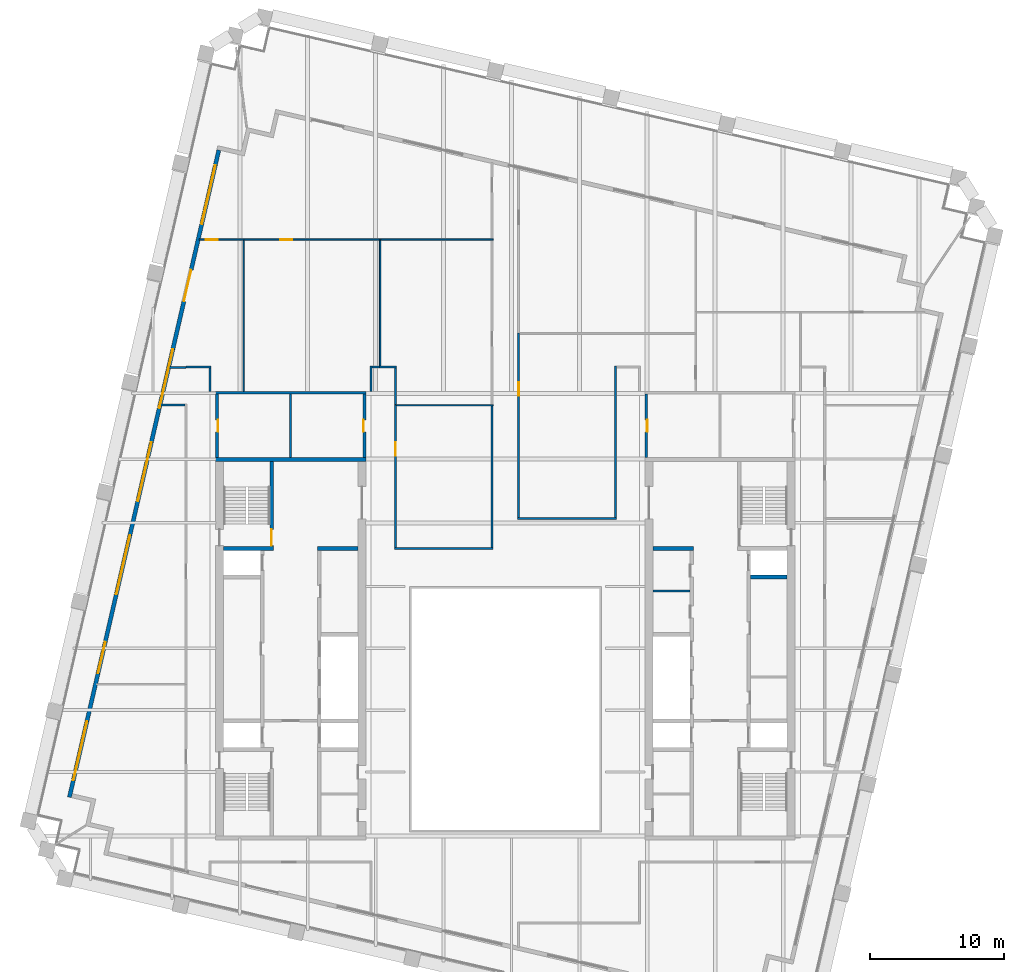
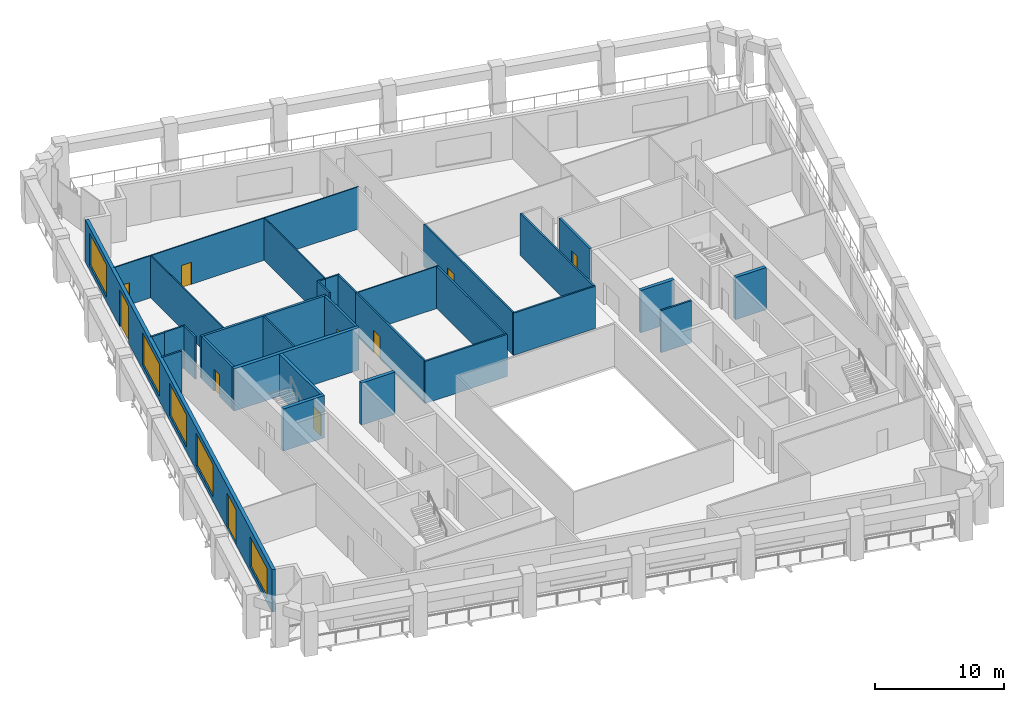
# One storey, part 6 of 10: 33 walls, 10 doors, 5 windows, 15 openings.
"""IFC4 building model written with IfcOpenShell, lengths in metres."""

from ifc_helpers import new_model, si_unit, direction, frame, frame_2d, origin, place, context, subcontext, project, spatial, rectangle, extrude, material, layer, layer_set, type_object, element, fill, save


model = new_model("IFC4")

# Units and contexts
model_context = context("Model", 3, precision=1e-05, world=origin(), true_north=direction((0.0, 1.0)))
body_context = subcontext(model_context, "Body", "Model", "MODEL_VIEW")
ifc_project = project(units=[si_unit("LENGTHUNIT", "METRE"), si_unit("AREAUNIT", "SQUARE_METRE"), si_unit("VOLUMEUNIT", "CUBIC_METRE"), si_unit("PLANEANGLEUNIT", "RADIAN"), si_unit("MASSUNIT", "GRAM", prefix="KILO")], contexts=[model_context])

# Site, building, storey
site_placement = place(None, origin())
site = spatial("IfcSite", under=ifc_project, at=site_placement, CompositionType="ELEMENT")
building_placement = place(site_placement, origin())
building = spatial("IfcBuilding", under=site, at=building_placement, Name="Ogive Exchange Tower", CompositionType="ELEMENT")
storey_placement = place(building_placement, frame((0.0, 0.0, 280.800048828125)))
storey = spatial("IfcBuildingStorey", under=building, at=storey_placement, Name="L61", CompositionType="ELEMENT", Elevation=280.800048828125)

# Walls
ifc_material_1 = material(Name="Gypsum board partition")
ifc_layer_1 = layer(ifc_material_1, 0.14990234375)
ifc_layer_set_1 = layer_set([ifc_layer_1], Name="Core room partition 150 gypsum")
wall_type_1 = type_object("IfcWallType", Name="Core room partition 150 gypsum", PredefinedType="PARTITIONING", material=ifc_layer_set_1)
wall_1_placement = place(storey_placement, frame((-16.0, 25.75, 0.0), z_axis=(0.0, 0.0, 1.0), x_axis=(0.0, 1.0, 0.0)))
element("IfcWall", 1, at=wall_1_placement, inside=storey, type_object=wall_type_1, Name="W annex N column wall", PredefinedType="PARTITIONING", context=body_context, shape_type="SweptSolid", body=[
    extrude(rectangle(XDim=4.75, YDim=0.14990234375, at=frame_2d((2.375, 0.0))), origin(), (0.0, 0.0, 1.0), 4.0),
])
wall_2_placement = place(storey_placement, frame((11.0, 15.800048828125, 0.0), z_axis=(0.0, 0.0, 1.0), x_axis=(1.0, 0.0, 0.0)))
element("IfcWall", 2, at=wall_2_placement, inside=storey, type_object=wall_type_1, Name="E row B bay partition 4-1", PredefinedType="PARTITIONING", context=body_context, shape_type="SweptSolid", body=[
    extrude(rectangle(XDim=2.75, YDim=0.14990234375, at=frame_2d((1.375, 0.0))), origin(), (0.0, 0.0, 1.0), 4.0),
])
ifc_layer_2 = layer(ifc_material_1, 0.300048828125)
ifc_layer_set_2 = layer_set([ifc_layer_2], Name="Core room partition 300 gypsum")
wall_type_2 = type_object("IfcWallType", Name="Core room partition 300 gypsum", PredefinedType="PARTITIONING", material=ifc_layer_set_2)
for number, where, z_axis, x_axis, name in (
    (3, (-14.0, 19.0, 0.0), (0.0, 0.0, 1.0), (1.0, 0.0, 0.0), "W row B room end wall 7"),
    (4, (11.0, 19.0, 0.0), (0.0, 0.0, 1.0), (1.0, 0.0, 0.0), "E row B room end wall 7"),
):
    element("IfcWall", number, at=place(storey_placement, frame(where, z_axis=z_axis, x_axis=x_axis)), inside=storey, type_object=wall_type_2, Name=name, PredefinedType="PARTITIONING", context=body_context, shape_type="SweptSolid", body=[
        extrude(rectangle(XDim=3.0, YDim=0.300048828125, at=frame_2d((1.5, 0.0))), origin(), (0.0, 0.0, 1.0), 4.0),
    ])
ifc_material_2 = material(Name="Fire partition EI 60 150")
ifc_layer_3 = layer(ifc_material_2, 0.14990234375)
ifc_layer_set_3 = layer_set([ifc_layer_3], Name="Fire partition EI 60 150")
wall_type_3 = type_object("IfcWallType", Name="Fire partition EI 60 150", PredefinedType="PARTITIONING", material=ifc_layer_set_3)
wall_3_placement = place(storey_placement, frame((-25.02490234375, 32.489990234375, 0.0), z_axis=(0.0, 0.0, 1.0), x_axis=(1.0, 0.0, 0.0)))
element("IfcWall", 5, at=wall_3_placement, inside=storey, type_object=wall_type_3, Name="L61-PWL-001", PredefinedType="PARTITIONING", context=body_context, shape_type="SweptSolid", body=[
    extrude(rectangle(XDim=1.224853515625, YDim=0.14990234375, at=frame_2d((0.6123046875, 0.0))), origin(), (0.0, 0.0, 1.0), 4.0),
])
wall_4_placement = place(storey_placement, frame((-23.875, 29.659912109375, 0.0), z_axis=(0.0, 0.0, 1.0), x_axis=(-1.0, 0.0, 0.0)))
element("IfcWall", 6, at=wall_4_placement, inside=storey, type_object=wall_type_3, Name="L61-PWL-005", PredefinedType="PARTITIONING", context=body_context, shape_type="SweptSolid", body=[
    extrude(rectangle(XDim=1.802978515625, YDim=0.14990234375, at=frame_2d((0.9013671875, 0.0))), origin(), (0.0, 0.0, 1.0), 4.0),
])
wall_5_placement = place(storey_placement, frame((-23.800048828125, 32.5, 0.0), z_axis=(0.0, 0.0, 1.0), x_axis=(1.0, 0.0, 0.0)))
element("IfcWall", 7, at=wall_5_placement, inside=storey, type_object=wall_type_3, Name="L61-PWL-006", PredefinedType="PARTITIONING", context=body_context, shape_type="SweptSolid", body=[
    extrude(rectangle(XDim=1.875, YDim=0.14990234375, at=frame_2d((0.9375, 0.0))), origin(), (0.0, 0.0, 1.0), 4.0),
])
wall_6_placement = place(storey_placement, frame((-22.0, 32.425048828125, 0.0), z_axis=(0.0, 0.0, 1.0), x_axis=(0.0, -1.0, 0.0)))
element("IfcWall", 8, at=wall_6_placement, inside=storey, type_object=wall_type_3, Name="L61-PWL-010", PredefinedType="PARTITIONING", context=body_context, shape_type="SweptSolid", body=[
    extrude(rectangle(XDim=1.72509765625, YDim=0.14990234375, at=frame_2d((0.862548828125, 0.0))), origin(), (0.0, 0.0, 1.0), 4.0),
])
wall_7_placement = place(storey_placement, frame((-10.0, 30.699951171875, 0.0), z_axis=(0.0, 0.0, 1.0), x_axis=(0.0, 1.0, 0.0)))
element("IfcWall", 9, at=wall_7_placement, inside=storey, type_object=wall_type_3, Name="L61-PWL-015", PredefinedType="PARTITIONING", context=body_context, shape_type="SweptSolid", body=[
    extrude(rectangle(XDim=1.875, YDim=0.14990234375, at=frame_2d((0.9375, 0.0))), origin(), (0.0, 0.0, 1.0), 4.0),
])
wall_8_placement = place(storey_placement, frame((-9.925048828125, 32.5, 0.0), z_axis=(0.0, 0.0, 1.0), x_axis=(1.0, 0.0, 0.0)))
element("IfcWall", 10, at=wall_8_placement, inside=storey, type_object=wall_type_3, Name="L61-PWL-016", PredefinedType="PARTITIONING", context=body_context, shape_type="SweptSolid", body=[
    extrude(rectangle(XDim=0.53515625, YDim=0.14990234375, at=frame_2d((0.267578125, 0.0))), origin(), (0.0, 0.0, 1.0), 4.0),
])
wall_9_placement = place(storey_placement, frame((-9.389892578125, 32.5, 0.0), z_axis=(0.0, 0.0, 1.0), x_axis=(1.0, 0.0, 0.0)))
element("IfcWall", 11, at=wall_9_placement, inside=storey, type_object=wall_type_3, Name="L61-PWL-017", PredefinedType="PARTITIONING", context=body_context, shape_type="SweptSolid", body=[
    extrude(rectangle(XDim=1.264892578125, YDim=0.14990234375, at=frame_2d((0.63232421875, 0.0))), origin(), (0.0, 0.0, 1.0), 4.0),
])
wall_10_placement = place(storey_placement, frame((-8.27490234375, 19.0, 0.0), z_axis=(0.0, 0.0, 1.0), x_axis=(1.0, 0.0, 0.0)))
element("IfcWall", 12, at=wall_10_placement, inside=storey, type_object=wall_type_3, Name="L61-PWL-020", PredefinedType="PARTITIONING", context=body_context, shape_type="SweptSolid", body=[
    extrude(rectangle(XDim=7.35986328125, YDim=0.14990234375, at=frame_2d((3.679931640625, 0.0))), origin(), (0.0, 0.0, 1.0), 4.0),
])

# Wall, opening, door
wall_11_placement = place(storey_placement, frame((-8.199951171875, 29.7099609375, 0.0), z_axis=(0.0, 0.0, 1.0), x_axis=(0.0, -1.0, 0.0)))
wall_11 = element("IfcWall", 13, at=wall_11_placement, inside=storey, type_object=wall_type_3, Name="L61-PWL-021", PredefinedType="PARTITIONING", context=body_context, shape_type="SweptSolid", body=[
    extrude(rectangle(XDim=10.635009765625, YDim=0.14990234375, at=frame_2d((5.3173828125, 0.0))), origin(), (0.0, 0.0, 1.0), 4.0),
])
opening_1_placement = place(wall_11_placement, frame((2.81005859375, 0.0, 0.0)))
opening_1 = element("IfcOpeningElement", 14, at=opening_1_placement, cuts=wall_11, Name="Opening L61-I09", PredefinedType="OPENING", context=body_context, shape_type="SweptSolid", body=[
    extrude(rectangle(XDim=1.0, YDim=2.10009765625, at=frame_2d((0.5, 1.050048828125))), frame((0.0, 0.0849609375, 0.0), z_axis=(0.0, -1.0, 0.0), x_axis=(1.0, 0.0, 0.0)), (0.0, 0.0, 1.0), 0.169921875),
])
ifc_material_3 = material(Name="Fire door FD 30S 1000 x 2100")
door_type_1 = type_object("IfcDoorType", Name="Fire door FD 30S 1000 x 2100", OperationType="NOTDEFINED", PredefinedType="DOOR", material=ifc_material_3)
door_1_placement = place(opening_1_placement, origin())
door_1 = element("IfcDoor", 15, at=door_1_placement, inside=storey, type_object=door_type_1, Name="L61-IDR-009", ObjectType="DT3", OperationType="SINGLE_SWING_RIGHT", OverallHeight=2.10009765625, OverallWidth=1.0, PredefinedType="DOOR", context=body_context, shape_type="SweptSolid", body=[
    extrude(rectangle(XDim=1.0, YDim=2.10009765625, at=frame_2d((0.5, 1.050048828125))), frame((0.0, 0.02490234375, 0.0), z_axis=(0.0, -1.0, 0.0), x_axis=(1.0, 0.0, 0.0)), (0.0, 0.0, 1.0), 0.050048828125),
])
fill(opening_1, door_1)

# Walls
wall_12_placement = place(storey_placement, frame((-8.199951171875, 32.425048828125, 0.0), z_axis=(0.0, 0.0, 1.0), x_axis=(0.0, -1.0, 0.0)))
element("IfcWall", 16, at=wall_12_placement, inside=storey, type_object=wall_type_3, Name="L61-PWL-023", PredefinedType="PARTITIONING", context=body_context, shape_type="SweptSolid", body=[
    extrude(rectangle(XDim=2.715087890625, YDim=0.14990234375, at=frame_2d((1.357421875, 0.0))), origin(), (0.0, 0.0, 1.0), 4.0),
])
wall_13_placement = place(storey_placement, frame((-0.989990234375, 19.074951171875, 0.0), z_axis=(0.0, 0.0, 1.0), x_axis=(0.0, 1.0, 0.0)))
element("IfcWall", 17, at=wall_13_placement, inside=storey, type_object=wall_type_3, Name="L61-PWL-024", PredefinedType="PARTITIONING", context=body_context, shape_type="SweptSolid", body=[
    extrude(rectangle(XDim=10.53515625, YDim=0.14990234375, at=frame_2d((5.267578125, 0.0))), origin(), (0.0, 0.0, 1.0), 4.0),
])
wall_14_placement = place(storey_placement, frame((0.9150390625, 21.2099609375, 0.0), z_axis=(0.0, 0.0, 1.0), x_axis=(1.0, 0.0, 0.0)))
element("IfcWall", 18, at=wall_14_placement, inside=storey, type_object=wall_type_3, Name="L61-PWL-028", PredefinedType="PARTITIONING", context=body_context, shape_type="SweptSolid", body=[
    extrude(rectangle(XDim=7.35986328125, YDim=0.14990234375, at=frame_2d((3.679931640625, 0.0))), origin(), (0.0, 0.0, 1.0), 4.0),
])

# Wall, opening, door
wall_15_placement = place(storey_placement, frame((0.989990234375, 35.050048828125, 0.0), z_axis=(0.0, 0.0, 1.0), x_axis=(0.0, -1.0, 0.0)))
wall_15 = element("IfcWall", 19, at=wall_15_placement, inside=storey, type_object=wall_type_3, Name="L61-PWL-029", PredefinedType="PARTITIONING", context=body_context, shape_type="SweptSolid", body=[
    extrude(rectangle(XDim=13.76513671875, YDim=0.14990234375, at=frame_2d((6.882568359375, 0.0))), origin(), (0.0, 0.0, 1.0), 4.0),
])
opening_2_placement = place(wall_15_placement, frame((3.68994140625, 0.0, 0.0)))
opening_2 = element("IfcOpeningElement", 20, at=opening_2_placement, cuts=wall_15, Name="Opening L61-I04", PredefinedType="OPENING", context=body_context, shape_type="SweptSolid", body=[
    extrude(rectangle(XDim=1.0, YDim=2.10009765625, at=frame_2d((0.5, 1.050048828125))), frame((0.0, 0.0849609375, 0.0), z_axis=(0.0, -1.0, 0.0), x_axis=(1.0, 0.0, 0.0)), (0.0, 0.0, 1.0), 0.169921875),
])
door_2_placement = place(opening_2_placement, origin())
door_2 = element("IfcDoor", 21, at=door_2_placement, inside=storey, type_object=door_type_1, Name="L61-IDR-004", ObjectType="DT3", OperationType="SINGLE_SWING_RIGHT", OverallHeight=2.10009765625, OverallWidth=1.0, PredefinedType="DOOR", context=body_context, shape_type="SweptSolid", body=[
    extrude(rectangle(XDim=1.0, YDim=2.10009765625, at=frame_2d((0.5, 1.050048828125))), frame((0.0, 0.02490234375, 0.0), z_axis=(0.0, -1.0, 0.0), x_axis=(1.0, 0.0, 0.0)), (0.0, 0.0, 1.0), 0.050048828125),
])
fill(opening_2, door_2)

# Wall
wall_16_placement = place(storey_placement, frame((8.199951171875, 21.284912109375, 0.0), z_axis=(0.0, 0.0, 1.0), x_axis=(0.0, 1.0, 0.0)))
element("IfcWall", 22, at=wall_16_placement, inside=storey, type_object=wall_type_3, Name="L61-PWL-031", PredefinedType="PARTITIONING", context=body_context, shape_type="SweptSolid", body=[
    extrude(rectangle(XDim=11.2900390625, YDim=0.14990234375, at=frame_2d((5.64501953125, 0.0))), origin(), (0.0, 0.0, 1.0), 4.0),
])

# Wall, openings, doors, windows
ifc_material_4 = material(Name="Precast concrete C40/50", Category="concrete")
ifc_layer_4 = layer(ifc_material_4, 0.300048828125)
ifc_layer_set_4 = layer_set([ifc_layer_4], Name="Limestone-faced wall 300")
wall_type_4 = type_object("IfcWallType", Name="Limestone-faced wall 300", PredefinedType="STANDARD", material=ifc_layer_set_4)
wall_17_placement = place(storey_placement, frame((-21.35888671875, 48.67822265625, 0.0), z_axis=(0.0, 0.0, 1.0), x_axis=(-0.224949198343, -0.974370493275, 0.0)))
wall_17 = element("IfcWall", 23, at=wall_17_placement, inside=storey, type_object=wall_type_4, Name="External wall W4", PredefinedType="STANDARD", context=body_context, shape_type="SweptSolid", body=[
    extrude(rectangle(XDim=49.5, YDim=0.300048828125, at=frame_2d((24.75, 0.0))), origin(), (0.0, 0.0, 1.0), 4.0),
])
opening_3_placement = place(wall_17_placement, frame((1.156982421875, 0.0, 0.449951171875)))
opening_3 = element("IfcOpeningElement", 24, at=opening_3_placement, cuts=wall_17, Name="Opening W1", PredefinedType="OPENING", context=body_context, shape_type="SweptSolid", body=[
    extrude(rectangle(XDim=4.5, YDim=3.050048828125, at=frame_2d((2.25, 1.52490234375))), frame((0.0, 0.159912109375, 0.0), z_axis=(0.0, -1.0, 0.0), x_axis=(1.0, 0.0, 0.0)), (0.0, 0.0, 1.0), 0.320068359375),
])
opening_4_placement = place(wall_17_placement, frame((9.17138671875, 0.0, 0.0)))
opening_4 = element("IfcOpeningElement", 25, at=opening_4_placement, cuts=wall_17, Name="Opening D1", PredefinedType="OPENING", context=body_context, shape_type="SweptSolid", body=[
    extrude(rectangle(XDim=2.39990234375, YDim=3.5, at=frame_2d((1.199951171875, 1.75))), frame((0.0, 0.159912109375, 0.0), z_axis=(0.0, -1.0, 0.0), x_axis=(1.0, 0.0, 0.0)), (0.0, 0.0, 1.0), 0.320068359375),
])
opening_5_placement = place(wall_17_placement, frame((15.235595703125, 0.0, 0.449951171875)))
opening_5 = element("IfcOpeningElement", 26, at=opening_5_placement, cuts=wall_17, Name="Opening W1", PredefinedType="OPENING", context=body_context, shape_type="SweptSolid", body=[
    extrude(rectangle(XDim=4.5, YDim=3.050048828125, at=frame_2d((2.25, 1.52490234375))), frame((0.0, 0.159912109375, 0.0), z_axis=(0.0, -1.0, 0.0), x_axis=(1.0, 0.0, 0.0)), (0.0, 0.0, 1.0), 0.320068359375),
])
opening_6_placement = place(wall_17_placement, frame((22.35009765625, 0.0, 0.449951171875)))
opening_6 = element("IfcOpeningElement", 27, at=opening_6_placement, cuts=wall_17, Name="Opening W1", PredefinedType="OPENING", context=body_context, shape_type="SweptSolid", body=[
    extrude(rectangle(XDim=4.5, YDim=3.050048828125, at=frame_2d((2.25, 1.52490234375))), frame((0.0, 0.159912109375, 0.0), z_axis=(0.0, -1.0, 0.0), x_axis=(1.0, 0.0, 0.0)), (0.0, 0.0, 1.0), 0.320068359375),
])
opening_7_placement = place(wall_17_placement, frame((29.464111328125, 0.0, 0.449951171875)))
opening_7 = element("IfcOpeningElement", 28, at=opening_7_placement, cuts=wall_17, Name="Opening W1", PredefinedType="OPENING", context=body_context, shape_type="SweptSolid", body=[
    extrude(rectangle(XDim=4.5, YDim=3.050048828125, at=frame_2d((2.25, 1.52490234375))), frame((0.0, 0.159912109375, 0.0), z_axis=(0.0, -1.0, 0.0), x_axis=(1.0, 0.0, 0.0)), (0.0, 0.0, 1.0), 0.320068359375),
])
opening_8_placement = place(wall_17_placement, frame((37.62841796875, 0.0, 0.0)))
opening_8 = element("IfcOpeningElement", 29, at=opening_8_placement, cuts=wall_17, Name="Opening D1C", PredefinedType="OPENING", context=body_context, shape_type="SweptSolid", body=[
    extrude(rectangle(XDim=2.39990234375, YDim=3.324951171875, at=frame_2d((1.199951171875, 1.66259765625))), frame((0.0, 0.159912109375, 0.0), z_axis=(0.0, -1.0, 0.0), x_axis=(1.0, 0.0, 0.0)), (0.0, 0.0, 1.0), 0.320068359375),
])
opening_9_placement = place(wall_17_placement, frame((43.69287109375, 0.0, 0.449951171875)))
opening_9 = element("IfcOpeningElement", 30, at=opening_9_placement, cuts=wall_17, Name="Opening W1E", PredefinedType="OPENING", context=body_context, shape_type="SweptSolid", body=[
    extrude(rectangle(XDim=4.5, YDim=2.824951171875, at=frame_2d((2.25, 1.41259765625))), frame((0.0, 0.159912109375, 0.0), z_axis=(0.0, -1.0, 0.0), x_axis=(1.0, 0.0, 0.0)), (0.0, 0.0, 1.0), 0.320068359375),
])
ifc_material_5 = material(Name="Clear glass in bronze frame", Category="glass")
door_type_2 = type_object("IfcDoorType", Name="Sliding loggia door 2400 x 3325", OperationType="DOUBLE_DOOR_SLIDING", PredefinedType="DOOR", material=ifc_material_5)
door_3_placement = place(opening_8_placement, origin())
door_3 = element("IfcDoor", 31, at=door_3_placement, inside=storey, type_object=door_type_2, Name="Loggia door W05", OperationType="DOUBLE_DOOR_SLIDING", OverallHeight=3.324951171875, OverallWidth=2.39990234375, PredefinedType="DOOR", context=body_context, shape_type="SweptSolid", body=[
    extrude(rectangle(XDim=2.39990234375, YDim=3.324951171875, at=frame_2d((1.199951171875, 1.66259765625))), frame((0.0, 0.02490234375, 0.0), z_axis=(0.0, -1.0, 0.0), x_axis=(1.0, 0.0, 0.0)), (0.0, 0.0, 1.0), 0.050048828125),
])
fill(opening_8, door_3)
door_type_3 = type_object("IfcDoorType", Name="Sliding loggia door 2400 x 3500", OperationType="DOUBLE_DOOR_SLIDING", PredefinedType="DOOR", material=ifc_material_5)
door_4_placement = place(opening_4_placement, origin())
door_4 = element("IfcDoor", 32, at=door_4_placement, inside=storey, type_object=door_type_3, Name="Loggia door W01", OperationType="DOUBLE_DOOR_SLIDING", OverallHeight=3.5, OverallWidth=2.39990234375, PredefinedType="DOOR", context=body_context, shape_type="SweptSolid", body=[
    extrude(rectangle(XDim=2.39990234375, YDim=3.5, at=frame_2d((1.199951171875, 1.75))), frame((0.0, 0.02490234375, 0.0), z_axis=(0.0, -1.0, 0.0), x_axis=(1.0, 0.0, 0.0)), (0.0, 0.0, 1.0), 0.050048828125),
])
fill(opening_4, door_4)
window_type_1 = type_object("IfcWindowType", Name="Twin lancet window 4500 x 2825", PartitioningType="DOUBLE_PANEL_VERTICAL", PredefinedType="WINDOW", material=ifc_material_5)
window_1_placement = place(opening_9_placement, origin())
window_1 = element("IfcWindow", 33, at=window_1_placement, inside=storey, type_object=window_type_1, Name="Window W06", OverallHeight=2.824951171875, OverallWidth=4.5, PartitioningType="DOUBLE_PANEL_VERTICAL", PredefinedType="WINDOW", context=body_context, shape_type="SweptSolid", body=[
    extrude(rectangle(XDim=4.5, YDim=2.824951171875, at=frame_2d((2.25, 1.41259765625))), frame((0.0, 0.030029296875, 0.0), z_axis=(0.0, -1.0, 0.0), x_axis=(1.0, 0.0, 0.0)), (0.0, 0.0, 1.0), 0.06005859375),
])
fill(opening_9, window_1)
window_type_2 = type_object("IfcWindowType", Name="Twin lancet window 4500 x 3050", PartitioningType="DOUBLE_PANEL_VERTICAL", PredefinedType="WINDOW", material=ifc_material_5)
window_2_placement = place(opening_3_placement, origin())
window_2 = element("IfcWindow", 34, at=window_2_placement, inside=storey, type_object=window_type_2, Name="Window W00", OverallHeight=3.050048828125, OverallWidth=4.5, PartitioningType="DOUBLE_PANEL_VERTICAL", PredefinedType="WINDOW", context=body_context, shape_type="SweptSolid", body=[
    extrude(rectangle(XDim=4.5, YDim=3.050048828125, at=frame_2d((2.25, 1.52490234375))), frame((0.0, 0.030029296875, 0.0), z_axis=(0.0, -1.0, 0.0), x_axis=(1.0, 0.0, 0.0)), (0.0, 0.0, 1.0), 0.06005859375),
])
fill(opening_3, window_2)
window_3_placement = place(opening_5_placement, origin())
window_3 = element("IfcWindow", 35, at=window_3_placement, inside=storey, type_object=window_type_2, Name="Window W02", OverallHeight=3.050048828125, OverallWidth=4.5, PartitioningType="DOUBLE_PANEL_VERTICAL", PredefinedType="WINDOW", context=body_context, shape_type="SweptSolid", body=[
    extrude(rectangle(XDim=4.5, YDim=3.050048828125, at=frame_2d((2.25, 1.52490234375))), frame((0.0, 0.030029296875, 0.0), z_axis=(0.0, -1.0, 0.0), x_axis=(1.0, 0.0, 0.0)), (0.0, 0.0, 1.0), 0.06005859375),
])
fill(opening_5, window_3)
window_4_placement = place(opening_6_placement, origin())
window_4 = element("IfcWindow", 36, at=window_4_placement, inside=storey, type_object=window_type_2, Name="Window W03", OverallHeight=3.050048828125, OverallWidth=4.5, PartitioningType="DOUBLE_PANEL_VERTICAL", PredefinedType="WINDOW", context=body_context, shape_type="SweptSolid", body=[
    extrude(rectangle(XDim=4.5, YDim=3.050048828125, at=frame_2d((2.25, 1.52490234375))), frame((0.0, 0.030029296875, 0.0), z_axis=(0.0, -1.0, 0.0), x_axis=(1.0, 0.0, 0.0)), (0.0, 0.0, 1.0), 0.06005859375),
])
fill(opening_6, window_4)
window_5_placement = place(opening_7_placement, origin())
window_5 = element("IfcWindow", 37, at=window_5_placement, inside=storey, type_object=window_type_2, Name="Window W04", OverallHeight=3.050048828125, OverallWidth=4.5, PartitioningType="DOUBLE_PANEL_VERTICAL", PredefinedType="WINDOW", context=body_context, shape_type="SweptSolid", body=[
    extrude(rectangle(XDim=4.5, YDim=3.050048828125, at=frame_2d((2.25, 1.52490234375))), frame((0.0, 0.030029296875, 0.0), z_axis=(0.0, -1.0, 0.0), x_axis=(1.0, 0.0, 0.0)), (0.0, 0.0, 1.0), 0.06005859375),
])
fill(opening_7, window_5)

# Wall, opening, door
ifc_material_6 = material(Name="Partition 100 gypsum")
ifc_layer_5 = layer(ifc_material_6, 0.10009765625)
ifc_layer_set_5 = layer_set([ifc_layer_5], Name="Partition 100 gypsum")
wall_type_5 = type_object("IfcWallType", Name="Partition 100 gypsum", PredefinedType="PARTITIONING", material=ifc_layer_set_5)
wall_18_placement = place(storey_placement, frame((-22.8291015625, 42.0, 0.0), z_axis=(0.0, 0.0, 1.0), x_axis=(1.0, 0.0, 0.0)))
wall_18 = element("IfcWall", 38, at=wall_18_placement, inside=storey, type_object=wall_type_5, Name="L61-PWL-008", PredefinedType="PARTITIONING", context=body_context, shape_type="SweptSolid", body=[
    extrude(rectangle(XDim=3.3291015625, YDim=0.10009765625, at=frame_2d((1.66455078125, 0.0))), origin(), (0.0, 0.0, 1.0), 4.0),
])
opening_10_placement = place(wall_18_placement, frame((0.47900390625, 0.0, 0.0)))
opening_10 = element("IfcOpeningElement", 39, at=opening_10_placement, cuts=wall_18, Name="Opening L61-I10", PredefinedType="OPENING", context=body_context, shape_type="SweptSolid", body=[
    extrude(rectangle(XDim=0.89990234375, YDim=2.10009765625, at=frame_2d((0.449951171875, 1.050048828125))), frame((0.0, 0.06005859375, 0.0), z_axis=(0.0, -1.0, 0.0), x_axis=(1.0, 0.0, 0.0)), (0.0, 0.0, 1.0), 0.1201171875),
])
ifc_material_7 = material(Name="Door 900 x 2100")
door_type_4 = type_object("IfcDoorType", Name="Door 900 x 2100", OperationType="NOTDEFINED", PredefinedType="DOOR", material=ifc_material_7)
door_5_placement = place(opening_10_placement, frame((0.89990234375, 0.0, 0.0), z_axis=(0.0, 0.0, 1.0), x_axis=(-1.0, 0.0, 0.0)))
door_5 = element("IfcDoor", 40, at=door_5_placement, inside=storey, type_object=door_type_4, Name="L61-IDR-010", ObjectType="DT1", OperationType="SINGLE_SWING_LEFT", OverallHeight=2.10009765625, OverallWidth=0.89990234375, PredefinedType="DOOR", context=body_context, shape_type="SweptSolid", body=[
    extrude(rectangle(XDim=0.89990234375, YDim=2.10009765625, at=frame_2d((0.449951171875, 1.050048828125))), frame((0.0, 0.02490234375, 0.0), z_axis=(0.0, -1.0, 0.0), x_axis=(1.0, 0.0, 0.0)), (0.0, 0.0, 1.0), 0.050048828125),
])
fill(opening_10, door_5)

# Wall
wall_19_placement = place(storey_placement, frame((-19.5, 41.949951171875, 0.0), z_axis=(0.0, 0.0, 1.0), x_axis=(0.0, -1.0, 0.0)))
element("IfcWall", 41, at=wall_19_placement, inside=storey, type_object=wall_type_5, Name="L61-PWL-011", PredefinedType="PARTITIONING", context=body_context, shape_type="SweptSolid", body=[
    extrude(rectangle(XDim=11.25, YDim=0.10009765625, at=frame_2d((5.625, 0.0))), origin(), (0.0, 0.0, 1.0), 4.0),
])

# Wall, opening, door
wall_20_placement = place(storey_placement, frame((-19.5, 42.0, 0.0), z_axis=(0.0, 0.0, 1.0), x_axis=(1.0, 0.0, 0.0)))
wall_20 = element("IfcWall", 42, at=wall_20_placement, inside=storey, type_object=wall_type_5, Name="L61-PWL-012", PredefinedType="PARTITIONING", context=body_context, shape_type="SweptSolid", body=[
    extrude(rectangle(XDim=10.2099609375, YDim=0.10009765625, at=frame_2d((5.10498046875, 0.0))), origin(), (0.0, 0.0, 1.0), 4.0),
])
opening_11_placement = place(wall_20_placement, frame((2.699951171875, 0.0, 0.0)))
opening_11 = element("IfcOpeningElement", 43, at=opening_11_placement, cuts=wall_20, Name="Opening L61-I11", PredefinedType="OPENING", context=body_context, shape_type="SweptSolid", body=[
    extrude(rectangle(XDim=0.89990234375, YDim=2.10009765625, at=frame_2d((0.449951171875, 1.050048828125))), frame((0.0, 0.06005859375, 0.0), z_axis=(0.0, -1.0, 0.0), x_axis=(1.0, 0.0, 0.0)), (0.0, 0.0, 1.0), 0.1201171875),
])
door_6_placement = place(opening_11_placement, frame((0.89990234375, 0.0, 0.0), z_axis=(0.0, 0.0, 1.0), x_axis=(-1.0, 0.0, 0.0)))
door_6 = element("IfcDoor", 44, at=door_6_placement, inside=storey, type_object=door_type_4, Name="L61-IDR-011", ObjectType="DT1", OperationType="SINGLE_SWING_LEFT", OverallHeight=2.10009765625, OverallWidth=0.89990234375, PredefinedType="DOOR", context=body_context, shape_type="SweptSolid", body=[
    extrude(rectangle(XDim=0.89990234375, YDim=2.10009765625, at=frame_2d((0.449951171875, 1.050048828125))), frame((0.0, 0.02490234375, 0.0), z_axis=(0.0, -1.0, 0.0), x_axis=(1.0, 0.0, 0.0)), (0.0, 0.0, 1.0), 0.050048828125),
])
fill(opening_11, door_6)

# Walls
wall_21_placement = place(storey_placement, frame((-9.340087890625, 41.949951171875, 0.0), z_axis=(0.0, 0.0, 1.0), x_axis=(0.0, -1.0, 0.0)))
element("IfcWall", 45, at=wall_21_placement, inside=storey, type_object=wall_type_5, Name="L61-PWL-018", PredefinedType="PARTITIONING", context=body_context, shape_type="SweptSolid", body=[
    extrude(rectangle(XDim=9.375, YDim=0.10009765625, at=frame_2d((4.6875, 0.0))), origin(), (0.0, 0.0, 1.0), 4.0),
])
wall_22_placement = place(storey_placement, frame((-9.2900390625, 42.0, 0.0), z_axis=(0.0, 0.0, 1.0), x_axis=(1.0, 0.0, 0.0)))
element("IfcWall", 46, at=wall_22_placement, inside=storey, type_object=wall_type_5, Name="L61-PWL-019", PredefinedType="PARTITIONING", context=body_context, shape_type="SweptSolid", body=[
    extrude(rectangle(XDim=8.375, YDim=0.10009765625, at=frame_2d((4.1875, 0.0))), origin(), (0.0, 0.0, 1.0), 4.0),
])
wall_23_placement = place(storey_placement, frame((-8.125, 29.659912109375, 0.0), z_axis=(0.0, 0.0, 1.0), x_axis=(1.0, 0.0, 0.0)))
element("IfcWall", 47, at=wall_23_placement, inside=storey, type_object=wall_type_5, Name="L61-PWL-022", PredefinedType="PARTITIONING", context=body_context, shape_type="SweptSolid", body=[
    extrude(rectangle(XDim=7.2099609375, YDim=0.10009765625, at=frame_2d((3.60498046875, 0.0))), origin(), (0.0, 0.0, 1.0), 4.0),
])

# Wall, opening, door
ifc_material_8 = material(Name="Concrete C70/85", Category="concrete")
ifc_layer_6 = layer(ifc_material_8, 0.199951171875)
ifc_layer_set_6 = layer_set([ifc_layer_6], Name="RC core wall 200 C70/85")
wall_type_6 = type_object("IfcWallType", Name="RC core wall 200 C70/85", PredefinedType="SHEAR", material=ifc_layer_set_6)
wall_24_placement = place(storey_placement, frame((-21.5, 25.75, 0.0), z_axis=(0.0, 0.0, 1.0), x_axis=(0.0, 1.0, 0.0)))
wall_24 = element("IfcWall", 48, at=wall_24_placement, inside=storey, type_object=wall_type_6, Name="W annex N outer wall", PredefinedType="SHEAR", context=body_context, shape_type="SweptSolid", body=[
    extrude(rectangle(XDim=4.75, YDim=0.199951171875, at=frame_2d((2.375, 0.0))), origin(), (0.0, 0.0, 1.0), 4.0),
])
opening_12_placement = place(wall_24_placement, frame((1.925048828125, 0.0, 0.0)))
opening_12 = element("IfcOpeningElement", 49, at=opening_12_placement, cuts=wall_24, Name="Opening L61-C17", PredefinedType="OPENING", context=body_context, shape_type="SweptSolid", body=[
    extrude(rectangle(XDim=0.89990234375, YDim=2.10009765625, at=frame_2d((0.449951171875, 1.050048828125))), frame((0.0, 0.10986328125, 0.0), z_axis=(0.0, -1.0, 0.0), x_axis=(1.0, 0.0, 0.0)), (0.0, 0.0, 1.0), 0.219970703125),
])
ifc_material_9 = material(Name="Steel fire door", Category="steel")
door_type_5 = type_object("IfcDoorType", Name="Riser door FD60 900 x 2100", OperationType="NOTDEFINED", PredefinedType="DOOR", material=ifc_material_9)
door_7_placement = place(opening_12_placement, origin())
door_7 = element("IfcDoor", 50, at=door_7_placement, inside=storey, type_object=door_type_5, Name="Riser door", ObjectType="CD2", OperationType="SINGLE_SWING_RIGHT", OverallHeight=2.10009765625, OverallWidth=0.89990234375, PredefinedType="DOOR", context=body_context, shape_type="SweptSolid", body=[
    extrude(rectangle(XDim=0.89990234375, YDim=2.10009765625, at=frame_2d((0.449951171875, 1.050048828125))), frame((0.0, -0.0498046875, 0.0), z_axis=(0.0, -1.0, 0.0), x_axis=(1.0, 0.0, 0.0)), (0.0, 0.0, 1.0), 0.050048828125),
])
fill(opening_12, door_7)

wall_25_placement = place(storey_placement, frame((-10.5, 25.75, 0.0), z_axis=(0.0, 0.0, 1.0), x_axis=(0.0, 1.0, 0.0)))
wall_25 = element("IfcWall", 51, at=wall_25_placement, inside=storey, type_object=wall_type_6, Name="W annex N inner wall", PredefinedType="SHEAR", context=body_context, shape_type="SweptSolid", body=[
    extrude(rectangle(XDim=4.75, YDim=0.199951171875, at=frame_2d((2.375, 0.0))), origin(), (0.0, 0.0, 1.0), 4.0),
])
opening_13_placement = place(wall_25_placement, frame((1.925048828125, 0.0, 0.0)))
opening_13 = element("IfcOpeningElement", 52, at=opening_13_placement, cuts=wall_25, Name="Opening L61-C18", PredefinedType="OPENING", context=body_context, shape_type="SweptSolid", body=[
    extrude(rectangle(XDim=0.89990234375, YDim=2.10009765625, at=frame_2d((0.449951171875, 1.050048828125))), frame((0.0, 0.10986328125, 0.0), z_axis=(0.0, -1.0, 0.0), x_axis=(1.0, 0.0, 0.0)), (0.0, 0.0, 1.0), 0.219970703125),
])
door_8_placement = place(opening_13_placement, frame((0.89990234375, 0.14990234375, 0.0), z_axis=(0.0, 0.0, 1.0), x_axis=(-1.0, 0.0, 0.0)))
door_8 = element("IfcDoor", 53, at=door_8_placement, inside=storey, type_object=door_type_5, Name="Riser door", ObjectType="CD2", OperationType="SINGLE_SWING_RIGHT", OverallHeight=2.10009765625, OverallWidth=0.89990234375, PredefinedType="DOOR", context=body_context, shape_type="SweptSolid", body=[
    extrude(rectangle(XDim=0.89990234375, YDim=2.10009765625, at=frame_2d((0.449951171875, 1.050048828125))), frame((0.0, 0.10009765625, 0.0), z_axis=(0.0, -1.0, 0.0), x_axis=(1.0, 0.0, 0.0)), (0.0, 0.0, 1.0), 0.050048828125),
])
fill(opening_13, door_8)

# Wall
wall_26_placement = place(storey_placement, frame((-21.60009765625, 30.60009765625, 0.0), z_axis=(0.0, 0.0, 1.0), x_axis=(1.0, 0.0, 0.0)))
element("IfcWall", 54, at=wall_26_placement, inside=storey, type_object=wall_type_6, Name="W annex N end wall", PredefinedType="SHEAR", context=body_context, shape_type="SweptSolid", body=[
    extrude(rectangle(XDim=11.2001953125, YDim=0.199951171875, at=frame_2d((5.60009765625, 0.0))), origin(), (0.0, 0.0, 1.0), 4.0),
])

# Wall, opening, door
wall_27_placement = place(storey_placement, frame((10.5, 25.75, 0.0), z_axis=(0.0, 0.0, 1.0), x_axis=(0.0, 1.0, 0.0)))
wall_27 = element("IfcWall", 55, at=wall_27_placement, inside=storey, type_object=wall_type_6, Name="E annex N inner wall", PredefinedType="SHEAR", context=body_context, shape_type="SweptSolid", body=[
    extrude(rectangle(XDim=4.75, YDim=0.199951171875, at=frame_2d((2.375, 0.0))), origin(), (0.0, 0.0, 1.0), 4.0),
])
opening_14_placement = place(wall_27_placement, frame((1.925048828125, 0.0, 0.0)))
opening_14 = element("IfcOpeningElement", 56, at=opening_14_placement, cuts=wall_27, Name="Opening L61-C38", PredefinedType="OPENING", context=body_context, shape_type="SweptSolid", body=[
    extrude(rectangle(XDim=0.89990234375, YDim=2.10009765625, at=frame_2d((0.449951171875, 1.050048828125))), frame((0.0, 0.10986328125, 0.0), z_axis=(0.0, -1.0, 0.0), x_axis=(1.0, 0.0, 0.0)), (0.0, 0.0, 1.0), 0.219970703125),
])
door_9_placement = place(opening_14_placement, origin())
door_9 = element("IfcDoor", 57, at=door_9_placement, inside=storey, type_object=door_type_5, Name="Riser door", ObjectType="CD2", OperationType="SINGLE_SWING_LEFT", OverallHeight=2.10009765625, OverallWidth=0.89990234375, PredefinedType="DOOR", context=body_context, shape_type="SweptSolid", body=[
    extrude(rectangle(XDim=0.89990234375, YDim=2.10009765625, at=frame_2d((0.449951171875, 1.050048828125))), frame((0.0, -0.0498046875, 0.0), z_axis=(0.0, -1.0, 0.0), x_axis=(1.0, 0.0, 0.0)), (0.0, 0.0, 1.0), 0.050048828125),
])
fill(opening_14, door_9)

ifc_layer_7 = layer(ifc_material_8, 0.25)
ifc_layer_set_7 = layer_set([ifc_layer_7], Name="RC core wall 250 C70/85")
wall_type_7 = type_object("IfcWallType", Name="RC core wall 250 C70/85", PredefinedType="SHEAR", material=ifc_layer_set_7)
wall_28_placement = place(storey_placement, frame((-17.425048828125, 19.14990234375, 0.0), z_axis=(0.0, 0.0, 1.0), x_axis=(0.0, 1.0, 0.0)))
wall_28 = element("IfcWall", 58, at=wall_28_placement, inside=storey, type_object=wall_type_7, Name="W stair N front wall", PredefinedType="SHEAR", context=body_context, shape_type="SweptSolid", body=[
    extrude(rectangle(XDim=6.300048828125, YDim=0.25, at=frame_2d((3.14990234375, 0.0))), origin(), (0.0, 0.0, 1.0), 4.0),
])
opening_15_placement = place(wall_28_placement, frame((0.050048828125, 0.0, 0.0)))
opening_15 = element("IfcOpeningElement", 59, at=opening_15_placement, cuts=wall_28, Name="Opening L61-C13", PredefinedType="OPENING", context=body_context, shape_type="SweptSolid", body=[
    extrude(rectangle(XDim=1.199951171875, YDim=2.10009765625, at=frame_2d((0.60009765625, 1.050048828125))), frame((0.0, 0.135009765625, 0.0), z_axis=(0.0, -1.0, 0.0), x_axis=(1.0, 0.0, 0.0)), (0.0, 0.0, 1.0), 0.27001953125),
])
door_type_6 = type_object("IfcDoorType", Name="Stair door FD90 1200 x 2100", OperationType="NOTDEFINED", PredefinedType="DOOR", material=ifc_material_9)
door_10_placement = place(opening_15_placement, origin())
door_10 = element("IfcDoor", 60, at=door_10_placement, inside=storey, type_object=door_type_6, Name="Stair door", ObjectType="CD5", OperationType="SINGLE_SWING_RIGHT", OverallHeight=2.10009765625, OverallWidth=1.199951171875, PredefinedType="DOOR", context=body_context, shape_type="SweptSolid", body=[
    extrude(rectangle(XDim=1.199951171875, YDim=2.10009765625, at=frame_2d((0.60009765625, 1.050048828125))), frame((0.0, 0.02490234375, 0.0), z_axis=(0.0, -1.0, 0.0), x_axis=(1.0, 0.0, 0.0)), (0.0, 0.0, 1.0), 0.050048828125),
])
fill(opening_15, door_10)

# Walls
ifc_layer_8 = layer(ifc_material_8, 0.300048828125)
ifc_layer_set_8 = layer_set([ifc_layer_8], Name="RC core wall 300 C70/85")
wall_type_8 = type_object("IfcWallType", Name="RC core wall 300 C70/85", PredefinedType="SHEAR", material=ifc_layer_set_8)
wall_29_placement = place(storey_placement, frame((-21.60009765625, 25.60009765625, 0.0), z_axis=(0.0, 0.0, 1.0), x_axis=(1.0, 0.0, 0.0)))
element("IfcWall", 61, at=wall_29_placement, inside=storey, type_object=wall_type_8, Name="W north end wall", PredefinedType="SHEAR", context=body_context, shape_type="SweptSolid", body=[
    extrude(rectangle(XDim=11.2001953125, YDim=0.300048828125, at=frame_2d((5.60009765625, 0.0))), origin(), (0.0, 0.0, 1.0), 4.0),
])
wall_30_placement = place(storey_placement, frame((-21.0, 19.0, 0.0), z_axis=(0.0, 0.0, 1.0), x_axis=(1.0, 0.0, 0.0)))
element("IfcWall", 62, at=wall_30_placement, inside=storey, type_object=wall_type_8, Name="W stair N south wall", PredefinedType="SHEAR", context=body_context, shape_type="SweptSolid", body=[
    extrude(rectangle(XDim=3.699951171875, YDim=0.300048828125, at=frame_2d((1.85009765625, 0.0))), origin(), (0.0, 0.0, 1.0), 4.0),
])
wall_31_placement = place(storey_placement, frame((18.25, 16.857177734375, 0.0), z_axis=(0.0, 0.0, 1.0), x_axis=(1.0, 0.0, 0.0)))
element("IfcWall", 63, at=wall_31_placement, inside=storey, type_object=wall_type_8, Name="E row A divider 6", PredefinedType="SHEAR", context=body_context, shape_type="SweptSolid", body=[
    extrude(rectangle(XDim=2.75, YDim=0.300048828125, at=frame_2d((1.375, 0.0))), origin(), (0.0, 0.0, 1.0), 4.0),
])

save(model, "model.ifc")
